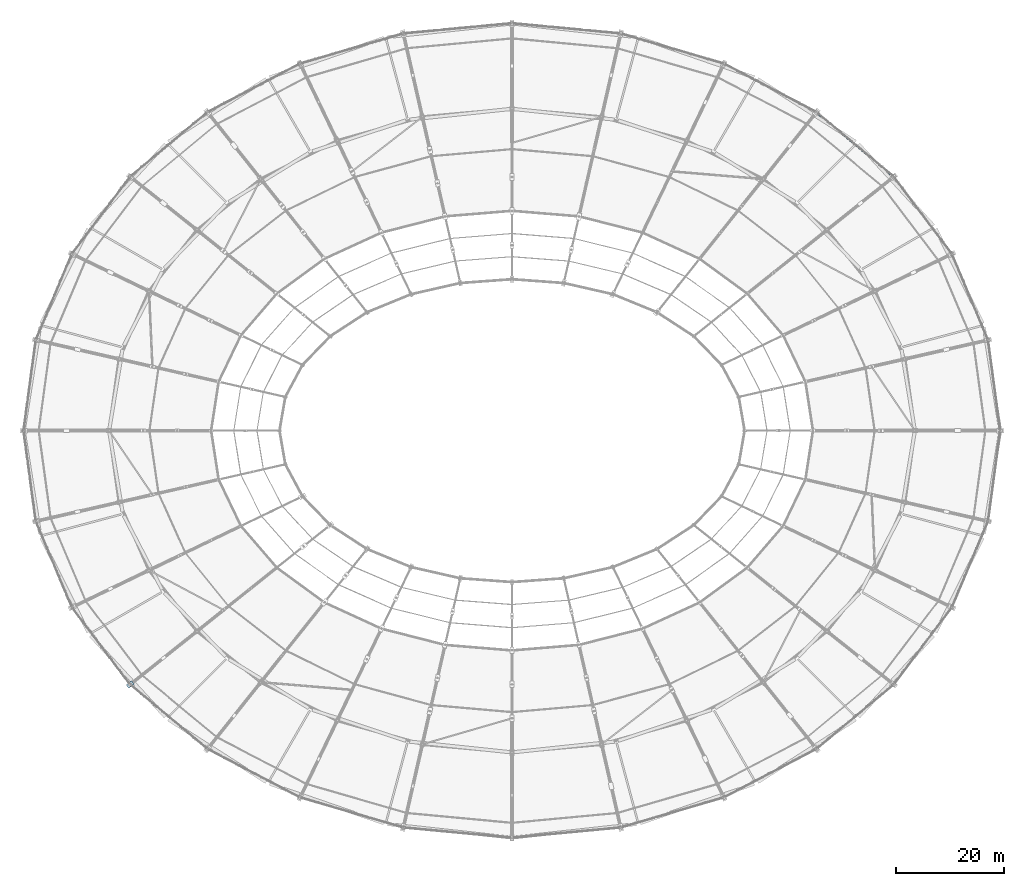
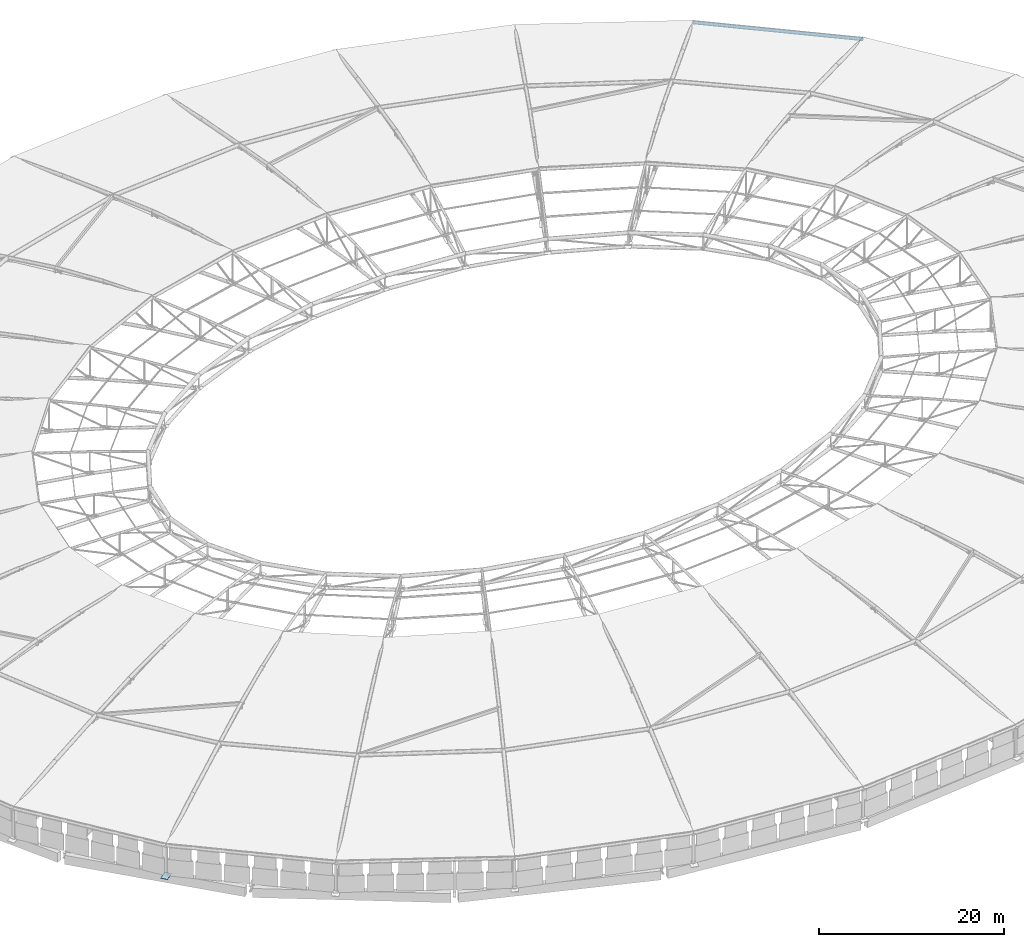
# One storey, part 89 of 108: 1 member, 1 plate.
"""IFC4 building model written with IfcOpenShell, lengths in metres."""

from ifc_helpers import new_model, si_unit, direction, frame, origin, origin_2d, place, context, subcontext, project, spatial, rectangle, hollow_circle, extrude, material, layer, layer_set, material_profile, profile_set, type_object, element, save


model = new_model("IFC4")

# Units and contexts
model_context = context("Model", 3, precision=1e-05, world=origin(), true_north=direction((0.0, 1.0)))
body_context = subcontext(model_context, "Body", "Model", "MODEL_VIEW")
ifc_project = project(units=[si_unit("LENGTHUNIT", "METRE"), si_unit("AREAUNIT", "SQUARE_METRE"), si_unit("VOLUMEUNIT", "CUBIC_METRE"), si_unit("PLANEANGLEUNIT", "RADIAN"), si_unit("MASSUNIT", "GRAM", prefix="KILO")], contexts=[model_context])

# Site, building, storey
site_placement = place(None, origin())
site = spatial("IfcSite", under=ifc_project, at=site_placement, CompositionType="ELEMENT")
building_placement = place(site_placement, origin())
building = spatial("IfcBuilding", under=site, at=building_placement, Name="Zevraka Park Crest Stadium", CompositionType="ELEMENT")
storey_placement = place(building_placement, frame((0.0, 0.0, 29.39990234375)))
storey = spatial("IfcBuildingStorey", under=building, at=storey_placement, Name="RF", CompositionType="ELEMENT", Elevation=29.39990234375)

# Member
ifc_material_1 = material(Name="Steel S355", Category="steel")
ifc_material_profile = material_profile(ifc_material_1, hollow_circle(Radius=0.203125, WallThickness=0.02001953125, at=origin_2d()), Name="CHS 406.4x20")
ifc_profile_set = profile_set([ifc_material_profile], Name="Steel S355")
member_type = type_object("IfcMemberType", Name="TC03", PredefinedType="CHORD", material=ifc_profile_set)
member_placement = place(storey_placement, frame((182.59912109375, 138.948974609375, 4.0), z_axis=(-0.768009482008, 0.640438471319, 0.0), x_axis=(-0.640438471319, -0.768009482008, 0.0)))
element("IfcMember", 1, at=member_placement, inside=storey, type_object=member_type, Name="Roof Outer Canopy Ring Chord TC03 04", PredefinedType="CHORD", context=body_context, shape_type="SweptSolid", body=[
    extrude(hollow_circle(Radius=0.203125, WallThickness=0.02001953125, at=origin_2d()), origin(), (0.0, 0.0, 1.0), 18.6171875),
])

# Plate
ifc_material_2 = material(Name="Steel S355", Category="steel")
ifc_layer = layer(ifc_material_2, 0.034912109375)
ifc_layer_set = layer_set([ifc_layer], Name="Steel S355")
plate_type = type_object("IfcPlateType", Name="BP02", PredefinedType="SHEET", material=ifc_layer_set)
plate_placement = place(storey_placement, frame((41.40087890625, 45.051025390625, -0.03271484375), z_axis=(0.0, 0.0, 1.0), x_axis=(0.781847027868, 0.623470308046, 0.0)))
element("IfcPlate", 2, at=plate_placement, inside=storey, type_object=plate_type, Name="TN1 Roof Truss Heel Base Plate BP02 T18", PredefinedType="SHEET", context=body_context, shape_type="SweptSolid", body=[
    extrude(rectangle(XDim=1.25, YDim=0.800048828125, at=origin_2d()), origin(), (0.0, 0.0, 1.0), 0.034912109375),
])

save(model, "model.ifc")
